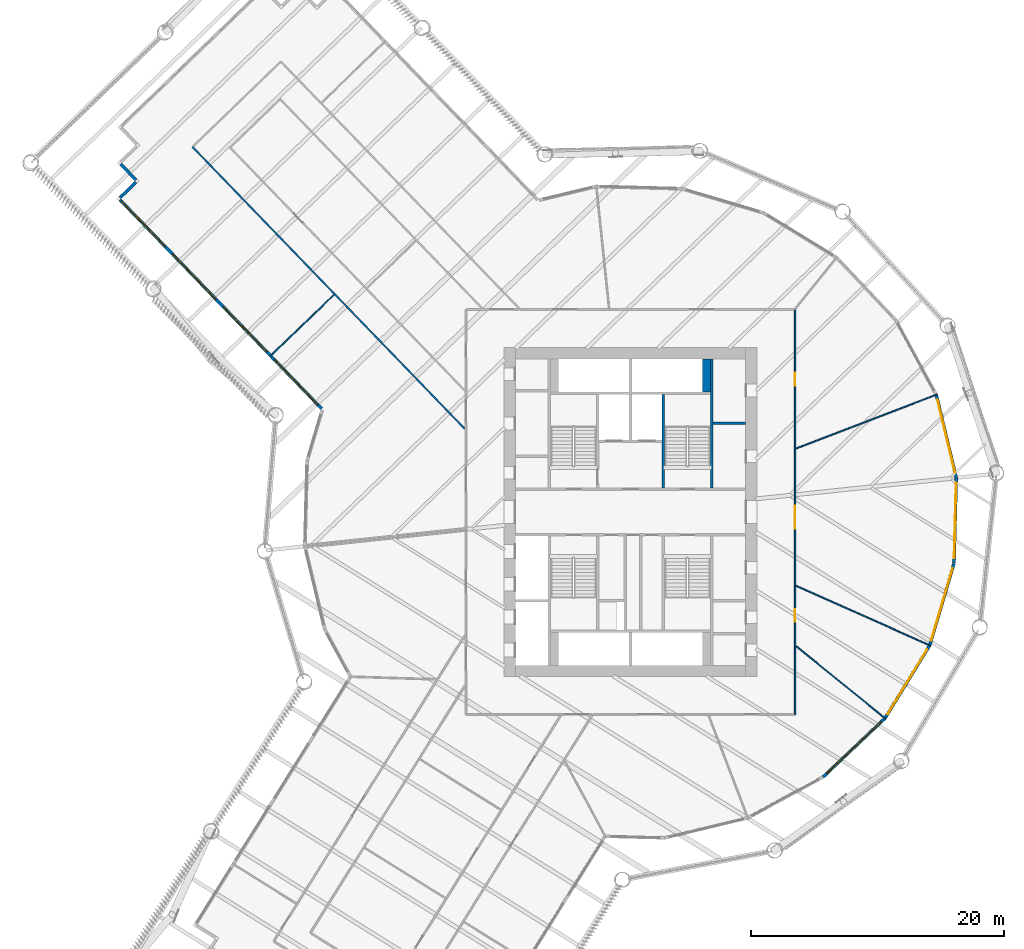
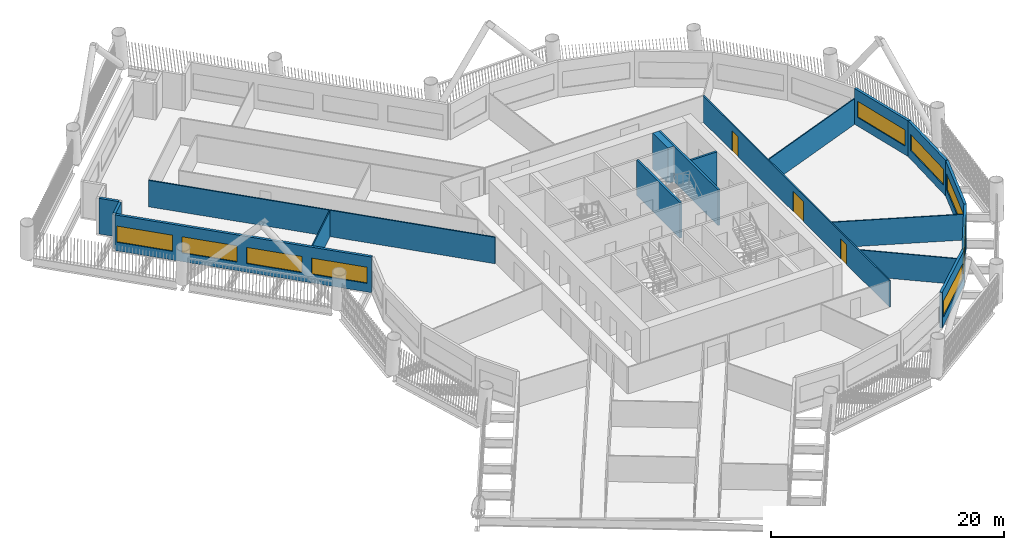
# One storey, part 6 of 22: 18 walls, 9 windows, 3 doors, 12 openings.
"""IFC4 building model written with IfcOpenShell, lengths in metres."""

from ifc_helpers import new_model, si_unit, direction, frame, frame_2d, origin, place, context, subcontext, project, spatial, rectangle, extrude, material, layer, layer_set, type_object, element, fill, save


model = new_model("IFC4")

# Units and contexts
model_context = context("Model", 3, precision=1e-05, world=origin(), true_north=direction((0.0, 1.0)))
body_context = subcontext(model_context, "Body", "Model", "MODEL_VIEW")
ifc_project = project(units=[si_unit("LENGTHUNIT", "METRE"), si_unit("AREAUNIT", "SQUARE_METRE"), si_unit("VOLUMEUNIT", "CUBIC_METRE"), si_unit("PLANEANGLEUNIT", "RADIAN"), si_unit("MASSUNIT", "GRAM", prefix="KILO")], contexts=[model_context])

# Site, building, storey
site_placement = place(None, origin())
site = spatial("IfcSite", under=ifc_project, at=site_placement, CompositionType="ELEMENT")
building_placement = place(site_placement, origin())
building = spatial("IfcBuilding", under=site, at=building_placement, Name="Tarsis Ring Headquarters", CompositionType="ELEMENT")
storey_placement = place(building_placement, frame((0.0, 0.0, 71.199951171875)))
storey = spatial("IfcBuildingStorey", under=building, at=storey_placement, Name="L15", CompositionType="ELEMENT", Elevation=71.199951171875)

# Walls
ifc_material_1 = material(Name="Blockwork", Category="masonry")
ifc_layer_1 = layer(ifc_material_1, 0.199951171875)
ifc_layer_set_1 = layer_set([ifc_layer_1], Name="Core blockwork wall 200")
wall_type_1 = type_object("IfcWallType", Name="Core blockwork wall 200", PredefinedType="PARTITIONING", material=ifc_layer_set_1)
wall_1_placement = place(storey_placement, frame((6.5, 7.0, 0.0), z_axis=(0.0, 0.0, 1.0), x_axis=(1.0, 0.0, 0.0)))
element("IfcWall", 1, at=wall_1_placement, inside=storey, type_object=wall_type_1, Name="Core partition ED6", PredefinedType="PARTITIONING", context=body_context, shape_type="SweptSolid", body=[
    extrude(rectangle(XDim=2.60009765625, YDim=0.199951171875, at=frame_2d((1.300048828125, 0.0))), origin(), (0.0, 0.0, 1.0), 3.739990234375),
])
ifc_material_2 = material(Name="Gypsum board on steel studs", Category="steel")
ifc_layer_2 = layer(ifc_material_2, 0.10009765625)
ifc_layer_set_2 = layer_set([ifc_layer_2], Name="FL partition 100 unrated")
wall_type_2 = type_object("IfcWallType", Name="FL partition 100 unrated", PredefinedType="PARTITIONING", material=ifc_layer_set_2)
wall_2_placement = place(storey_placement, frame((13.07470703125, 5.018798828125, 0.0), z_axis=(0.0, 0.0, 1.0), x_axis=(0.933578283161, 0.358373533077, 0.0)))
element("IfcWall", 2, at=wall_2_placement, inside=storey, type_object=wall_type_2, Name="Partition PW3", PredefinedType="PARTITIONING", context=body_context, shape_type="SweptSolid", body=[
    extrude(rectangle(XDim=11.94287109375, YDim=0.10009765625, at=frame_2d((5.971435546875, 0.0))), origin(), (0.0, 0.0, 1.0), 2.699951171875),
])
wall_3_placement = place(storey_placement, frame((13.072998046875, -5.820556640625, 0.0), z_axis=(0.0, 0.0, 1.0), x_axis=(0.913548369517, -0.406730102836, 0.0)))
element("IfcWall", 3, at=wall_3_placement, inside=storey, type_object=wall_type_2, Name="Partition PW3", PredefinedType="PARTITIONING", context=body_context, shape_type="SweptSolid", body=[
    extrude(rectangle(XDim=11.6376953125, YDim=0.10009765625, at=frame_2d((5.81884765625, 0.0))), origin(), (0.0, 0.0, 1.0), 2.699951171875),
])
wall_4_placement = place(storey_placement, frame((13.08544921875, -10.596435546875, 0.0), z_axis=(0.0, 0.0, 1.0), x_axis=(0.777145007008, -0.629321569694, 0.0)))
element("IfcWall", 4, at=wall_4_placement, inside=storey, type_object=wall_type_2, Name="Partition PW3", PredefinedType="PARTITIONING", context=body_context, shape_type="SweptSolid", body=[
    extrude(rectangle(XDim=9.110107421875, YDim=0.10009765625, at=frame_2d((4.55517578125, 0.0))), origin(), (0.0, 0.0, 1.0), 2.699951171875),
])
wall_5_placement = place(storey_placement, frame((-28.477294921875, 12.286376953125, 0.0), z_axis=(0.0, 0.0, 1.0), x_axis=(0.719327853895, 0.694670741151, 0.0)))
element("IfcWall", 5, at=wall_5_placement, inside=storey, type_object=wall_type_2, Name="Partition PW3", PredefinedType="PARTITIONING", context=body_context, shape_type="SweptSolid", body=[
    extrude(rectangle(XDim=7.030029296875, YDim=0.10009765625, at=frame_2d((3.51513671875, 0.0))), origin(), (0.0, 0.0, 1.0), 2.699951171875),
])

# Wall, openings, doors
ifc_layer_3 = layer(ifc_material_2, 0.125)
ifc_layer_set_3 = layer_set([ifc_layer_3], Name="FL partition 125 EI 60 H2770")
wall_type_3 = type_object("IfcWallType", Name="FL partition 125 EI 60 H2770", PredefinedType="PARTITIONING", material=ifc_layer_set_3)
wall_6_placement = place(storey_placement, frame((13.0, -16.0, 0.0), z_axis=(0.0, 0.0, 1.0), x_axis=(0.0, 1.0, 0.0)))
wall_6 = element("IfcWall", 6, at=wall_6_placement, inside=storey, type_object=wall_type_3, Name="Partition PW1", PredefinedType="PARTITIONING", context=body_context, shape_type="SweptSolid", body=[
    extrude(rectangle(XDim=32.0, YDim=0.125, at=frame_2d((16.0, 0.0))), origin(), (0.0, 0.0, 1.0), 2.77001953125),
])
opening_1_placement = place(wall_6_placement, frame((25.9951171875, 0.0, 0.0)))
opening_1 = element("IfcOpeningElement", 7, at=opening_1_placement, cuts=wall_6, Name="Opening D15.03", PredefinedType="OPENING", context=body_context, shape_type="SweptSolid", body=[
    extrude(rectangle(XDim=1.0, YDim=2.10009765625, at=frame_2d((0.5, 1.050048828125))), frame((0.0, 0.072509765625, 0.0), z_axis=(0.0, -1.0, 0.0), x_axis=(1.0, 0.0, 0.0)), (0.0, 0.0, 1.0), 0.14501953125),
])
opening_2_placement = place(wall_6_placement, frame((14.701171875, 0.0, 0.0)))
opening_2 = element("IfcOpeningElement", 8, at=opening_2_placement, cuts=wall_6, Name="Opening D15.04", PredefinedType="OPENING", context=body_context, shape_type="SweptSolid", body=[
    extrude(rectangle(XDim=1.800048828125, YDim=2.10009765625, at=frame_2d((0.89990234375, 1.050048828125))), frame((0.0, 0.072509765625, 0.0), z_axis=(0.0, -1.0, 0.0), x_axis=(1.0, 0.0, 0.0)), (0.0, 0.0, 1.0), 0.14501953125),
])
opening_3_placement = place(wall_6_placement, frame((7.34228515625, 0.0, 0.0)))
opening_3 = element("IfcOpeningElement", 9, at=opening_3_placement, cuts=wall_6, Name="Opening D15.05", PredefinedType="OPENING", context=body_context, shape_type="SweptSolid", body=[
    extrude(rectangle(XDim=1.0, YDim=2.10009765625, at=frame_2d((0.5, 1.050048828125))), frame((0.0, 0.072509765625, 0.0), z_axis=(0.0, -1.0, 0.0), x_axis=(1.0, 0.0, 0.0)), (0.0, 0.0, 1.0), 0.14501953125),
])
ifc_material_3 = material(Name="Fire-rated timber door leaf in steel frame", Category="steel")
door_type_1 = type_object("IfcDoorType", Name="FL door FD60-1000", OperationType="NOTDEFINED", PredefinedType="DOOR", material=ifc_material_3)
door_1_placement = place(opening_1_placement, origin())
door_1 = element("IfcDoor", 10, at=door_1_placement, inside=storey, type_object=door_type_1, Name="Door D15.03", OperationType="SINGLE_SWING_RIGHT", OverallHeight=2.10009765625, OverallWidth=1.0, PredefinedType="DOOR", context=body_context, shape_type="SweptSolid", body=[
    extrude(rectangle(XDim=1.0, YDim=2.10009765625, at=frame_2d((0.5, 1.050048828125))), frame((0.0, 0.02490234375, 0.0), z_axis=(0.0, -1.0, 0.0), x_axis=(1.0, 0.0, 0.0)), (0.0, 0.0, 1.0), 0.050048828125),
])
fill(opening_1, door_1)
door_2_placement = place(opening_3_placement, origin())
door_2 = element("IfcDoor", 11, at=door_2_placement, inside=storey, type_object=door_type_1, Name="Door D15.05", OperationType="SINGLE_SWING_RIGHT", OverallHeight=2.10009765625, OverallWidth=1.0, PredefinedType="DOOR", context=body_context, shape_type="SweptSolid", body=[
    extrude(rectangle(XDim=1.0, YDim=2.10009765625, at=frame_2d((0.5, 1.050048828125))), frame((0.0, 0.02490234375, 0.0), z_axis=(0.0, -1.0, 0.0), x_axis=(1.0, 0.0, 0.0)), (0.0, 0.0, 1.0), 0.050048828125),
])
fill(opening_3, door_2)
door_type_2 = type_object("IfcDoorType", Name="FL door FD60-1800", OperationType="DOUBLE_DOOR_SINGLE_SWING", PredefinedType="DOOR", material=ifc_material_3)
door_3_placement = place(opening_2_placement, origin())
door_3 = element("IfcDoor", 12, at=door_3_placement, inside=storey, type_object=door_type_2, Name="Door D15.04", OperationType="DOUBLE_DOOR_SINGLE_SWING", OverallHeight=2.10009765625, OverallWidth=1.800048828125, PredefinedType="DOOR", context=body_context, shape_type="SweptSolid", body=[
    extrude(rectangle(XDim=1.800048828125, YDim=2.10009765625, at=frame_2d((0.89990234375, 1.050048828125))), frame((0.0, 0.02490234375, 0.0), z_axis=(0.0, -1.0, 0.0), x_axis=(1.0, 0.0, 0.0)), (0.0, 0.0, 1.0), 0.050048828125),
])
fill(opening_2, door_3)

# Wall
wall_7_placement = place(storey_placement, frame((-34.595703125, 28.843017578125, 0.0), z_axis=(0.0, 0.0, 1.0), x_axis=(0.694657159652, -0.719340969599, 0.0)))
element("IfcWall", 13, at=wall_7_placement, inside=storey, type_object=wall_type_3, Name="Partition PW1", PredefinedType="PARTITIONING", context=body_context, shape_type="SweptSolid", body=[
    extrude(rectangle(XDim=30.947998046875, YDim=0.125, at=frame_2d((15.47412109375, 0.0))), origin(), (0.0, 0.0, 1.0), 2.77001953125),
])

# Wall, openings, windows
ifc_material_4 = material(Name="Terracotta clad insulated panel wall", Category="masonry")
ifc_layer_4 = layer(ifc_material_4, 0.25)
ifc_layer_set_4 = layer_set([ifc_layer_4], Name="Facade wall terracotta panel 250")
wall_type_4 = type_object("IfcWallType", Name="Facade wall terracotta panel 250", PredefinedType="STANDARD", material=ifc_layer_set_4)
wall_8_placement = place(storey_placement, frame((-40.32275390625, 24.66064453125, 0.0), z_axis=(0.0, 0.0, 1.0), x_axis=(0.694659898297, -0.71933832492, 0.0)))
wall_8 = element("IfcWall", 14, at=wall_8_placement, inside=storey, type_object=wall_type_4, Name="External wall L15-01", PredefinedType="STANDARD", context=body_context, shape_type="SweptSolid", body=[
    extrude(rectangle(XDim=22.921875, YDim=0.25, at=frame_2d((11.4609375, 0.0))), origin(), (0.0, 0.0, 1.0), 3.739990234375),
])
opening_4_placement = place(wall_8_placement, frame((0.17138671875, 0.0, 0.89990234375)))
opening_4 = element("IfcOpeningElement", 15, at=opening_4_placement, cuts=wall_8, Name="Opening WN05", PredefinedType="OPENING", context=body_context, shape_type="SweptSolid", body=[
    extrude(rectangle(XDim=4.949951171875, YDim=1.699951171875, at=frame_2d((2.47509765625, 0.85009765625))), frame((0.0, 0.135009765625, 0.0), z_axis=(0.0, -1.0, 0.0), x_axis=(1.0, 0.0, 0.0)), (0.0, 0.0, 1.0), 0.27001953125),
])
opening_5_placement = place(wall_8_placement, frame((5.964599609375, 0.0, 0.89990234375)))
opening_5 = element("IfcOpeningElement", 16, at=opening_5_placement, cuts=wall_8, Name="Opening WN05", PredefinedType="OPENING", context=body_context, shape_type="SweptSolid", body=[
    extrude(rectangle(XDim=4.949951171875, YDim=1.699951171875, at=frame_2d((2.47509765625, 0.85009765625))), frame((0.0, 0.135009765625, 0.0), z_axis=(0.0, -1.0, 0.0), x_axis=(1.0, 0.0, 0.0)), (0.0, 0.0, 1.0), 0.27001953125),
])
opening_6_placement = place(wall_8_placement, frame((11.757568359375, 0.0, 0.89990234375)))
opening_6 = element("IfcOpeningElement", 17, at=opening_6_placement, cuts=wall_8, Name="Opening WN05", PredefinedType="OPENING", context=body_context, shape_type="SweptSolid", body=[
    extrude(rectangle(XDim=4.949951171875, YDim=1.699951171875, at=frame_2d((2.47509765625, 0.85009765625))), frame((0.0, 0.135009765625, 0.0), z_axis=(0.0, -1.0, 0.0), x_axis=(1.0, 0.0, 0.0)), (0.0, 0.0, 1.0), 0.27001953125),
])
opening_7_placement = place(wall_8_placement, frame((17.550537109375, 0.0, 0.89990234375)))
opening_7 = element("IfcOpeningElement", 18, at=opening_7_placement, cuts=wall_8, Name="Opening WN05", PredefinedType="OPENING", context=body_context, shape_type="SweptSolid", body=[
    extrude(rectangle(XDim=4.949951171875, YDim=1.699951171875, at=frame_2d((2.47509765625, 0.85009765625))), frame((0.0, 0.135009765625, 0.0), z_axis=(0.0, -1.0, 0.0), x_axis=(1.0, 0.0, 0.0)), (0.0, 0.0, 1.0), 0.27001953125),
])
ifc_material_5 = material(Name="Aluminium framed double glazing", Category="aluminium")
window_type_1 = type_object("IfcWindowType", Name="Facade window 4950 x 1700", PartitioningType="SINGLE_PANEL", PredefinedType="WINDOW", material=ifc_material_5)
window_1_placement = place(opening_4_placement, origin())
window_1 = element("IfcWindow", 19, at=window_1_placement, inside=storey, type_object=window_type_1, Name="Window L15-01.1", OverallHeight=1.699951171875, OverallWidth=4.949951171875, PartitioningType="SINGLE_PANEL", PredefinedType="WINDOW", context=body_context, shape_type="SweptSolid", body=[
    extrude(rectangle(XDim=4.949951171875, YDim=1.699951171875, at=frame_2d((2.47509765625, 0.85009765625))), frame((0.0, 0.030029296875, 0.0), z_axis=(0.0, -1.0, 0.0), x_axis=(1.0, 0.0, 0.0)), (0.0, 0.0, 1.0), 0.06005859375),
])
fill(opening_4, window_1)
window_2_placement = place(opening_5_placement, origin())
window_2 = element("IfcWindow", 20, at=window_2_placement, inside=storey, type_object=window_type_1, Name="Window L15-01.2", OverallHeight=1.699951171875, OverallWidth=4.949951171875, PartitioningType="SINGLE_PANEL", PredefinedType="WINDOW", context=body_context, shape_type="SweptSolid", body=[
    extrude(rectangle(XDim=4.949951171875, YDim=1.699951171875, at=frame_2d((2.47509765625, 0.85009765625))), frame((0.0, 0.030029296875, 0.0), z_axis=(0.0, -1.0, 0.0), x_axis=(1.0, 0.0, 0.0)), (0.0, 0.0, 1.0), 0.06005859375),
])
fill(opening_5, window_2)
window_3_placement = place(opening_6_placement, origin())
window_3 = element("IfcWindow", 21, at=window_3_placement, inside=storey, type_object=window_type_1, Name="Window L15-01.3", OverallHeight=1.699951171875, OverallWidth=4.949951171875, PartitioningType="SINGLE_PANEL", PredefinedType="WINDOW", context=body_context, shape_type="SweptSolid", body=[
    extrude(rectangle(XDim=4.949951171875, YDim=1.699951171875, at=frame_2d((2.47509765625, 0.85009765625))), frame((0.0, 0.030029296875, 0.0), z_axis=(0.0, -1.0, 0.0), x_axis=(1.0, 0.0, 0.0)), (0.0, 0.0, 1.0), 0.06005859375),
])
fill(opening_6, window_3)
window_4_placement = place(opening_7_placement, origin())
window_4 = element("IfcWindow", 22, at=window_4_placement, inside=storey, type_object=window_type_1, Name="Window L15-01.4", OverallHeight=1.699951171875, OverallWidth=4.949951171875, PartitioningType="SINGLE_PANEL", PredefinedType="WINDOW", context=body_context, shape_type="SweptSolid", body=[
    extrude(rectangle(XDim=4.949951171875, YDim=1.699951171875, at=frame_2d((2.47509765625, 0.85009765625))), frame((0.0, 0.030029296875, 0.0), z_axis=(0.0, -1.0, 0.0), x_axis=(1.0, 0.0, 0.0)), (0.0, 0.0, 1.0), 0.06005859375),
])
fill(opening_7, window_4)

# Wall, opening, window
wall_9_placement = place(storey_placement, frame((15.22021484375, -20.921142578125, 0.0), z_axis=(0.0, 0.0, 1.0), x_axis=(0.7253883604, 0.688339833655, 0.0)))
wall_9 = element("IfcWall", 23, at=wall_9_placement, inside=storey, type_object=wall_type_4, Name="External wall L15-20", PredefinedType="STANDARD", context=body_context, shape_type="SweptSolid", body=[
    extrude(rectangle(XDim=6.721435546875, YDim=0.25, at=frame_2d((3.36083984375, 0.0))), origin(), (0.0, 0.0, 1.0), 3.739990234375),
])
opening_8_placement = place(wall_9_placement, frame((0.3857421875, 0.0, 0.89990234375)))
opening_8 = element("IfcOpeningElement", 24, at=opening_8_placement, cuts=wall_9, Name="Opening WN07", PredefinedType="OPENING", context=body_context, shape_type="SweptSolid", body=[
    extrude(rectangle(XDim=5.949951171875, YDim=1.699951171875, at=frame_2d((2.97509765625, 0.85009765625))), frame((0.0, 0.135009765625, 0.0), z_axis=(0.0, -1.0, 0.0), x_axis=(1.0, 0.0, 0.0)), (0.0, 0.0, 1.0), 0.27001953125),
])
window_type_2 = type_object("IfcWindowType", Name="Facade window 5950 x 1700", PartitioningType="SINGLE_PANEL", PredefinedType="WINDOW", material=ifc_material_5)
window_5_placement = place(opening_8_placement, origin())
window_5 = element("IfcWindow", 25, at=window_5_placement, inside=storey, type_object=window_type_2, Name="Window L15-20.1", OverallHeight=1.699951171875, OverallWidth=5.949951171875, PartitioningType="SINGLE_PANEL", PredefinedType="WINDOW", context=body_context, shape_type="SweptSolid", body=[
    extrude(rectangle(XDim=5.949951171875, YDim=1.699951171875, at=frame_2d((2.97509765625, 0.85009765625))), frame((0.0, 0.030029296875, 0.0), z_axis=(0.0, -1.0, 0.0), x_axis=(1.0, 0.0, 0.0)), (0.0, 0.0, 1.0), 0.06005859375),
])
fill(opening_8, window_5)

wall_10_placement = place(storey_placement, frame((20.116455078125, -16.26904296875, 0.0), z_axis=(0.0, 0.0, 1.0), x_axis=(0.522485401425, 0.852648230689, 0.0)))
wall_10 = element("IfcWall", 26, at=wall_10_placement, inside=storey, type_object=wall_type_4, Name="External wall L15-21", PredefinedType="STANDARD", context=body_context, shape_type="SweptSolid", body=[
    extrude(rectangle(XDim=6.7216796875, YDim=0.25, at=frame_2d((3.36083984375, 0.0))), origin(), (0.0, 0.0, 1.0), 3.739990234375),
])
opening_9_placement = place(wall_10_placement, frame((0.3857421875, 0.0, 0.89990234375)))
opening_9 = element("IfcOpeningElement", 27, at=opening_9_placement, cuts=wall_10, Name="Opening WN07", PredefinedType="OPENING", context=body_context, shape_type="SweptSolid", body=[
    extrude(rectangle(XDim=5.949951171875, YDim=1.699951171875, at=frame_2d((2.97509765625, 0.85009765625))), frame((0.0, 0.135009765625, 0.0), z_axis=(0.0, -1.0, 0.0), x_axis=(1.0, 0.0, 0.0)), (0.0, 0.0, 1.0), 0.27001953125),
])
window_6_placement = place(opening_9_placement, origin())
window_6 = element("IfcWindow", 28, at=window_6_placement, inside=storey, type_object=window_type_2, Name="Window L15-21.1", OverallHeight=1.699951171875, OverallWidth=5.949951171875, PartitioningType="SINGLE_PANEL", PredefinedType="WINDOW", context=body_context, shape_type="SweptSolid", body=[
    extrude(rectangle(XDim=5.949951171875, YDim=1.699951171875, at=frame_2d((2.97509765625, 0.85009765625))), frame((0.0, 0.030029296875, 0.0), z_axis=(0.0, -1.0, 0.0), x_axis=(1.0, 0.0, 0.0)), (0.0, 0.0, 1.0), 0.06005859375),
])
fill(opening_9, window_6)

wall_11_placement = place(storey_placement, frame((23.6416015625, -10.508056640625, 0.0), z_axis=(0.0, 0.0, 1.0), x_axis=(0.284033915729, 0.958814233684, 0.0)))
wall_11 = element("IfcWall", 29, at=wall_11_placement, inside=storey, type_object=wall_type_4, Name="External wall L15-22", PredefinedType="STANDARD", context=body_context, shape_type="SweptSolid", body=[
    extrude(rectangle(XDim=6.7216796875, YDim=0.25, at=frame_2d((3.36083984375, 0.0))), origin(), (0.0, 0.0, 1.0), 3.739990234375),
])
opening_10_placement = place(wall_11_placement, frame((0.3857421875, 0.0, 0.89990234375)))
opening_10 = element("IfcOpeningElement", 30, at=opening_10_placement, cuts=wall_11, Name="Opening WN07", PredefinedType="OPENING", context=body_context, shape_type="SweptSolid", body=[
    extrude(rectangle(XDim=5.949951171875, YDim=1.699951171875, at=frame_2d((2.97509765625, 0.85009765625))), frame((0.0, 0.135009765625, 0.0), z_axis=(0.0, -1.0, 0.0), x_axis=(1.0, 0.0, 0.0)), (0.0, 0.0, 1.0), 0.27001953125),
])
window_7_placement = place(opening_10_placement, origin())
window_7 = element("IfcWindow", 31, at=window_7_placement, inside=storey, type_object=window_type_2, Name="Window L15-22.1", OverallHeight=1.699951171875, OverallWidth=5.949951171875, PartitioningType="SINGLE_PANEL", PredefinedType="WINDOW", context=body_context, shape_type="SweptSolid", body=[
    extrude(rectangle(XDim=5.949951171875, YDim=1.699951171875, at=frame_2d((2.97509765625, 0.85009765625))), frame((0.0, 0.030029296875, 0.0), z_axis=(0.0, -1.0, 0.0), x_axis=(1.0, 0.0, 0.0)), (0.0, 0.0, 1.0), 0.06005859375),
])
fill(opening_10, window_7)

wall_12_placement = place(storey_placement, frame((25.555908203125, -4.031005859375, 0.0), z_axis=(0.0, 0.0, 1.0), x_axis=(0.026152891513, 0.999657954635, 0.0)))
wall_12 = element("IfcWall", 32, at=wall_12_placement, inside=storey, type_object=wall_type_4, Name="External wall L15-23", PredefinedType="STANDARD", context=body_context, shape_type="SweptSolid", body=[
    extrude(rectangle(XDim=6.72119140625, YDim=0.25, at=frame_2d((3.360595703125, 0.0))), origin(), (0.0, 0.0, 1.0), 3.739990234375),
])
opening_11_placement = place(wall_12_placement, frame((0.3857421875, 0.0, 0.89990234375)))
opening_11 = element("IfcOpeningElement", 33, at=opening_11_placement, cuts=wall_12, Name="Opening WN07", PredefinedType="OPENING", context=body_context, shape_type="SweptSolid", body=[
    extrude(rectangle(XDim=5.949951171875, YDim=1.699951171875, at=frame_2d((2.97509765625, 0.85009765625))), frame((0.0, 0.135009765625, 0.0), z_axis=(0.0, -1.0, 0.0), x_axis=(1.0, 0.0, 0.0)), (0.0, 0.0, 1.0), 0.27001953125),
])
window_8_placement = place(opening_11_placement, origin())
window_8 = element("IfcWindow", 34, at=window_8_placement, inside=storey, type_object=window_type_2, Name="Window L15-23.1", OverallHeight=1.699951171875, OverallWidth=5.949951171875, PartitioningType="SINGLE_PANEL", PredefinedType="WINDOW", context=body_context, shape_type="SweptSolid", body=[
    extrude(rectangle(XDim=5.949951171875, YDim=1.699951171875, at=frame_2d((2.97509765625, 0.85009765625))), frame((0.0, 0.030029296875, 0.0), z_axis=(0.0, -1.0, 0.0), x_axis=(1.0, 0.0, 0.0)), (0.0, 0.0, 1.0), 0.06005859375),
])
fill(opening_11, window_8)

wall_13_placement = place(storey_placement, frame((25.728271484375, 2.720458984375, 0.0), z_axis=(0.0, 0.0, 1.0), x_axis=(-0.233440265405, 0.972371144413, 0.0)))
wall_13 = element("IfcWall", 35, at=wall_13_placement, inside=storey, type_object=wall_type_4, Name="External wall L15-24", PredefinedType="STANDARD", context=body_context, shape_type="SweptSolid", body=[
    extrude(rectangle(XDim=6.7216796875, YDim=0.25, at=frame_2d((3.36083984375, 0.0))), origin(), (0.0, 0.0, 1.0), 3.739990234375),
])
opening_12_placement = place(wall_13_placement, frame((0.3857421875, 0.0, 0.89990234375)))
opening_12 = element("IfcOpeningElement", 36, at=opening_12_placement, cuts=wall_13, Name="Opening WN07", PredefinedType="OPENING", context=body_context, shape_type="SweptSolid", body=[
    extrude(rectangle(XDim=5.949951171875, YDim=1.699951171875, at=frame_2d((2.97509765625, 0.85009765625))), frame((0.0, 0.135009765625, 0.0), z_axis=(0.0, -1.0, 0.0), x_axis=(1.0, 0.0, 0.0)), (0.0, 0.0, 1.0), 0.27001953125),
])
window_9_placement = place(opening_12_placement, origin())
window_9 = element("IfcWindow", 37, at=window_9_placement, inside=storey, type_object=window_type_2, Name="Window L15-24.1", OverallHeight=1.699951171875, OverallWidth=5.949951171875, PartitioningType="SINGLE_PANEL", PredefinedType="WINDOW", context=body_context, shape_type="SweptSolid", body=[
    extrude(rectangle(XDim=5.949951171875, YDim=1.699951171875, at=frame_2d((2.97509765625, 0.85009765625))), frame((0.0, 0.030029296875, 0.0), z_axis=(0.0, -1.0, 0.0), x_axis=(1.0, 0.0, 0.0)), (0.0, 0.0, 1.0), 0.06005859375),
])
fill(opening_12, window_9)

# Walls
for number, where, z_axis, x_axis, name in (
    (38, (-40.2734375, 27.48876953125, 0.0), (0.0, 0.0, 1.0), (0.694651777584, -0.719346166946, 0.0), "External wall L15-39"),
    (39, (-39.060791015625, 26.05322265625, 0.0), (0.0, 0.0, 1.0), (-0.719276454457, -0.694723961055, 0.0), "External wall L15-40"),
):
    element("IfcWall", number, at=place(storey_placement, frame(where, z_axis=z_axis, x_axis=x_axis)), inside=storey, type_object=wall_type_4, Name=name, PredefinedType="STANDARD", context=body_context, shape_type="SweptSolid", body=[
        extrude(rectangle(XDim=1.75, YDim=0.25, at=frame_2d((0.875, 0.0))), origin(), (0.0, 0.0, 1.0), 3.739990234375),
    ])
ifc_material_6 = material(Name="Concrete C32/40", Category="concrete")
ifc_layer_5 = layer(ifc_material_6, 0.60009765625)
ifc_layer_set_5 = layer_set([ifc_layer_5], Name="Shaft end wall 600 C32/40")
wall_type_5 = type_object("IfcWallType", Name="Shaft end wall 600 C32/40", PredefinedType="SOLIDWALL", material=ifc_layer_set_5)
wall_14_placement = place(storey_placement, frame((6.0, 9.5, 0.0), z_axis=(0.0, 0.0, 1.0), x_axis=(0.0, 1.0, 0.0)))
element("IfcWall", 40, at=wall_14_placement, inside=storey, type_object=wall_type_5, Name="Core shaft wall NNE2", PredefinedType="SOLIDWALL", context=body_context, shape_type="SweptSolid", body=[
    extrude(rectangle(XDim=2.60009765625, YDim=0.60009765625, at=frame_2d((1.300048828125, 0.0))), origin(), (0.0, 0.0, 1.0), 3.739990234375),
])
ifc_layer_6 = layer(ifc_material_6, 0.199951171875)
ifc_layer_set_6 = layer_set([ifc_layer_6], Name="Shaft wall 200 C32/40")
wall_type_6 = type_object("IfcWallType", Name="Shaft wall 200 C32/40", PredefinedType="SOLIDWALL", material=ifc_layer_set_6)
wall_15_placement = place(storey_placement, frame((6.39990234375, 1.89990234375, 0.0), z_axis=(0.0, 0.0, 1.0), x_axis=(0.0, 1.0, 0.0)))
element("IfcWall", 41, at=wall_15_placement, inside=storey, type_object=wall_type_6, Name="Core shaft wall EB2", PredefinedType="SOLIDWALL", context=body_context, shape_type="SweptSolid", body=[
    extrude(rectangle(XDim=10.2001953125, YDim=0.199951171875, at=frame_2d((5.10009765625, 0.0))), origin(), (0.0, 0.0, 1.0), 3.739990234375),
])
wall_16_placement = place(storey_placement, frame((2.60009765625, 1.89990234375, 0.0), z_axis=(0.0, 0.0, 1.0), x_axis=(0.0, 1.0, 0.0)))
element("IfcWall", 42, at=wall_16_placement, inside=storey, type_object=wall_type_6, Name="Core shaft wall SW2", PredefinedType="SOLIDWALL", context=body_context, shape_type="SweptSolid", body=[
    extrude(rectangle(XDim=7.400146484375, YDim=0.199951171875, at=frame_2d((3.7001953125, 0.0))), origin(), (0.0, 0.0, 1.0), 3.739990234375),
])

save(model, "model.ifc")
